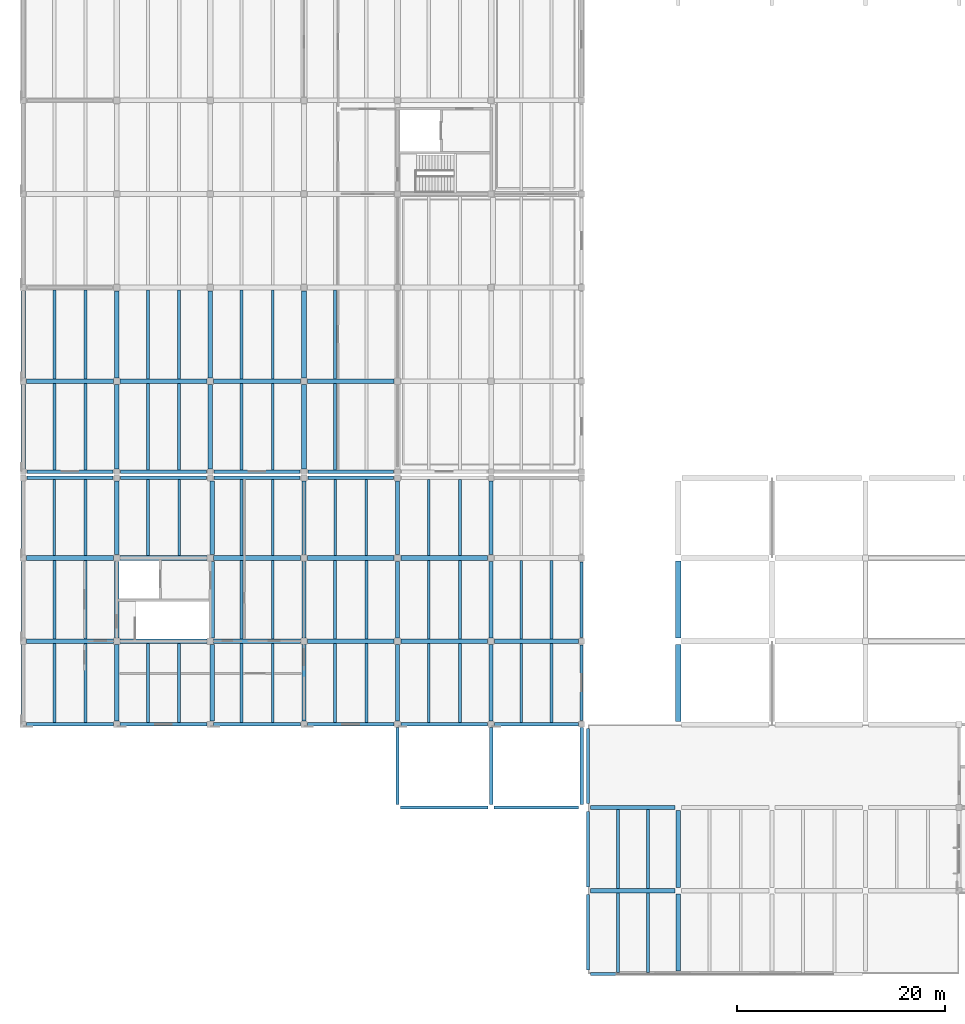
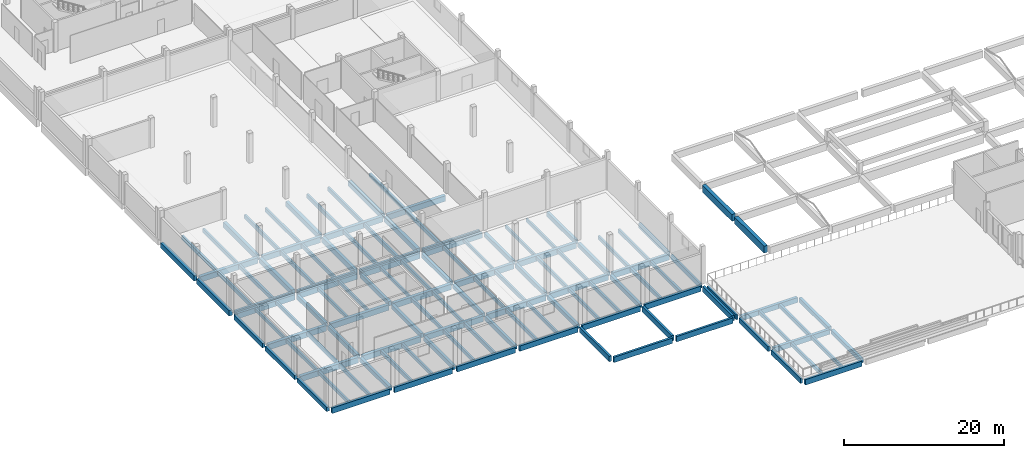
# One storey, part 6 of 63: 122 beams.
"""IFC4 building model written with IfcOpenShell, lengths in metres."""

from ifc_helpers import new_model, si_unit, direction, frame, origin, origin_2d, place, context, subcontext, project, spatial, rectangle, extrude, material, material_profile, profile_set, type_object, element, save


model = new_model("IFC4")

# Units and contexts
model_context = context("Model", 3, precision=1e-05, world=origin(), true_north=direction((0.0, 1.0)))
body_context = subcontext(model_context, "Body", "Model", "MODEL_VIEW")
ifc_project = project(units=[si_unit("LENGTHUNIT", "METRE"), si_unit("AREAUNIT", "SQUARE_METRE"), si_unit("VOLUMEUNIT", "CUBIC_METRE"), si_unit("PLANEANGLEUNIT", "RADIAN"), si_unit("MASSUNIT", "GRAM", prefix="KILO")], contexts=[model_context])

# Site, building, storey
site_placement = place(None, origin())
site = spatial("IfcSite", under=ifc_project, at=site_placement, CompositionType="ELEMENT")
building_placement = place(site_placement, origin())
building = spatial("IfcBuilding", under=site, at=building_placement, Name="Zacnel Wholesale Market", CompositionType="ELEMENT")
storey_placement = place(building_placement, frame((0.0, 0.0, 11.199951171875)))
storey = spatial("IfcBuildingStorey", under=building, at=storey_placement, Name="L03", CompositionType="ELEMENT", Elevation=11.199951171875)

# Beams
ifc_material_1 = material(Name="Precast concrete C45/55", Category="concrete")
ifc_material_profile_1 = material_profile(ifc_material_1, rectangle(XDim=0.280029296875, YDim=0.550048828125, at=origin_2d()), Name="DT RIB 280x550")
ifc_profile_set_1 = profile_set([ifc_material_profile_1], Name="Precast concrete C45/55")
beam_type_1 = type_object("IfcBeamType", Name="BM-DT550", PredefinedType="JOIST", material=ifc_profile_set_1)
for number, where, z_axis, x_axis, name in (
    (1, (75.199951171875, 0.159912109375, -0.695068359375), (0.0, 1.0, 0.0), (-1.0, 0.0, 0.0), "Precast secondary joist L03-0345"),
    (2, (78.10009765625, 0.159912109375, -0.695068359375), (0.0, 1.0, 0.0), (-1.0, 0.0, 0.0), "Precast secondary joist L03-0346"),
):
    element("IfcBeam", number, at=place(storey_placement, frame(where, z_axis=z_axis, x_axis=x_axis)), inside=storey, type_object=beam_type_1, Name=name, PredefinedType="JOIST", context=body_context, shape_type="SweptSolid", body=[
        extrude(rectangle(XDim=0.280029296875, YDim=0.550048828125, at=origin_2d()), origin(), (0.0, 0.0, 1.0), 7.64013671875),
    ])
for number, where, z_axis, x_axis, name in (
    (3, (75.199951171875, 8.199951171875, -0.695068359375), (0.0, 1.0, 0.0), (-1.0, 0.0, 0.0), "Precast secondary joist L03-0363"),
    (4, (78.10009765625, 8.199951171875, -0.695068359375), (0.0, 1.0, 0.0), (-1.0, 0.0, 0.0), "Precast secondary joist L03-0364"),
):
    element("IfcBeam", number, at=place(storey_placement, frame(where, z_axis=z_axis, x_axis=x_axis)), inside=storey, type_object=beam_type_1, Name=name, PredefinedType="JOIST", context=body_context, shape_type="SweptSolid", body=[
        extrude(rectangle(XDim=0.280029296875, YDim=0.550048828125, at=origin_2d()), origin(), (0.0, 0.0, 1.0), 7.60009765625),
    ])
for number, where, z_axis, x_axis, name in (
    (5, (21.0, 24.159912109375, -0.574951171875), (0.0, 1.0, 0.0), (-1.0, 0.0, 0.0), "Precast secondary joist L03-0393"),
    (6, (24.0, 24.159912109375, -0.574951171875), (0.0, 1.0, 0.0), (-1.0, 0.0, 0.0), "Precast secondary joist L03-0394"),
    (7, (30.0, 24.159912109375, -0.574951171875), (0.0, 1.0, 0.0), (-1.0, 0.0, 0.0), "Precast secondary joist L03-0395"),
    (8, (33.0, 24.159912109375, -0.574951171875), (0.0, 1.0, 0.0), (-1.0, 0.0, 0.0), "Precast secondary joist L03-0396"),
    (9, (39.0, 24.159912109375, -0.574951171875), (0.0, 1.0, 0.0), (-1.0, 0.0, 0.0), "Precast secondary joist L03-0397"),
    (10, (42.0, 24.159912109375, -0.574951171875), (0.0, 1.0, 0.0), (-1.0, 0.0, 0.0), "Precast secondary joist L03-0398"),
    (11, (48.0, 24.159912109375, -0.574951171875), (0.0, 1.0, 0.0), (-1.0, 0.0, 0.0), "Precast secondary joist L03-0399"),
    (12, (51.0, 24.159912109375, -0.574951171875), (0.0, 1.0, 0.0), (-1.0, 0.0, 0.0), "Precast secondary joist L03-0400"),
    (13, (57.0, 24.159912109375, -0.574951171875), (0.0, 1.0, 0.0), (-1.0, 0.0, 0.0), "Precast secondary joist L03-0401"),
    (14, (60.0, 24.159912109375, -0.574951171875), (0.0, 1.0, 0.0), (-1.0, 0.0, 0.0), "Precast secondary joist L03-0402"),
    (15, (65.89990234375, 24.159912109375, -0.574951171875), (0.0, 1.0, 0.0), (-1.0, 0.0, 0.0), "Precast secondary joist L03-0403"),
    (16, (68.800048828125, 24.159912109375, -0.574951171875), (0.0, 1.0, 0.0), (-1.0, 0.0, 0.0), "Precast secondary joist L03-0404"),
):
    element("IfcBeam", number, at=place(storey_placement, frame(where, z_axis=z_axis, x_axis=x_axis)), inside=storey, type_object=beam_type_1, Name=name, PredefinedType="JOIST", context=body_context, shape_type="SweptSolid", body=[
        extrude(rectangle(XDim=0.280029296875, YDim=0.550048828125, at=origin_2d()), origin(), (0.0, 0.0, 1.0), 7.614990234375),
    ])
for number, where, z_axis, x_axis, name in (
    (17, (21.0, 32.22509765625, -0.574951171875), (0.0, 1.0, 0.0), (-1.0, 0.0, 0.0), "Precast secondary joist L03-0421"),
    (18, (24.0, 32.22509765625, -0.574951171875), (0.0, 1.0, 0.0), (-1.0, 0.0, 0.0), "Precast secondary joist L03-0422"),
    (19, (39.0, 32.22509765625, -0.574951171875), (0.0, 1.0, 0.0), (-1.0, 0.0, 0.0), "Precast secondary joist L03-0423"),
    (20, (42.0, 32.22509765625, -0.574951171875), (0.0, 1.0, 0.0), (-1.0, 0.0, 0.0), "Precast secondary joist L03-0424"),
    (21, (48.0, 32.22509765625, -0.574951171875), (0.0, 1.0, 0.0), (-1.0, 0.0, 0.0), "Precast secondary joist L03-0425"),
    (22, (51.0, 32.22509765625, -0.574951171875), (0.0, 1.0, 0.0), (-1.0, 0.0, 0.0), "Precast secondary joist L03-0426"),
    (23, (57.0, 32.22509765625, -0.574951171875), (0.0, 1.0, 0.0), (-1.0, 0.0, 0.0), "Precast secondary joist L03-0427"),
    (24, (60.0, 32.22509765625, -0.574951171875), (0.0, 1.0, 0.0), (-1.0, 0.0, 0.0), "Precast secondary joist L03-0428"),
    (25, (65.89990234375, 32.22509765625, -0.574951171875), (0.0, 1.0, 0.0), (-1.0, 0.0, 0.0), "Precast secondary joist L03-0429"),
    (26, (68.800048828125, 32.22509765625, -0.574951171875), (0.0, 1.0, 0.0), (-1.0, 0.0, 0.0), "Precast secondary joist L03-0430"),
):
    element("IfcBeam", number, at=place(storey_placement, frame(where, z_axis=z_axis, x_axis=x_axis)), inside=storey, type_object=beam_type_1, Name=name, PredefinedType="JOIST", context=body_context, shape_type="SweptSolid", body=[
        extrude(rectangle(XDim=0.280029296875, YDim=0.550048828125, at=origin_2d()), origin(), (0.0, 0.0, 1.0), 7.5498046875),
    ])
ifc_material_2 = material(Name="Precast concrete C45/55", Category="concrete")
ifc_material_profile_2 = material_profile(ifc_material_2, rectangle(XDim=0.280029296875, YDim=0.60009765625, at=origin_2d()), Name="DT RIB 280x600")
ifc_profile_set_2 = profile_set([ifc_material_profile_2], Name="Precast concrete C45/55")
beam_type_2 = type_object("IfcBeamType", Name="BM-DT600", PredefinedType="JOIST", material=ifc_profile_set_2)
for number, where, z_axis, x_axis, name in (
    (27, (21.0, 48.4599609375, -0.599853515625), (0.0, 1.0, 0.0), (-1.0, 0.0, 0.0), "Precast secondary joist L03-0475"),
    (28, (24.0, 48.4599609375, -0.599853515625), (0.0, 1.0, 0.0), (-1.0, 0.0, 0.0), "Precast secondary joist L03-0476"),
    (29, (30.0, 48.4599609375, -0.599853515625), (0.0, 1.0, 0.0), (-1.0, 0.0, 0.0), "Precast secondary joist L03-0477"),
    (30, (33.0, 48.4599609375, -0.599853515625), (0.0, 1.0, 0.0), (-1.0, 0.0, 0.0), "Precast secondary joist L03-0478"),
    (31, (39.0, 48.4599609375, -0.599853515625), (0.0, 1.0, 0.0), (-1.0, 0.0, 0.0), "Precast secondary joist L03-0479"),
    (32, (42.0, 48.4599609375, -0.599853515625), (0.0, 1.0, 0.0), (-1.0, 0.0, 0.0), "Precast secondary joist L03-0480"),
    (33, (48.0, 48.4599609375, -0.599853515625), (0.0, 1.0, 0.0), (-1.0, 0.0, 0.0), "Precast secondary joist L03-0481"),
):
    element("IfcBeam", number, at=place(storey_placement, frame(where, z_axis=z_axis, x_axis=x_axis)), inside=storey, type_object=beam_type_2, Name=name, PredefinedType="JOIST", context=body_context, shape_type="SweptSolid", body=[
        extrude(rectangle(XDim=0.280029296875, YDim=0.60009765625, at=origin_2d()), origin(), (0.0, 0.0, 1.0), 8.31494140625),
    ])
for number, where, z_axis, x_axis, name in (
    (34, (21.0, 57.22509765625, -0.599853515625), (0.0, 1.0, 0.0), (-1.0, 0.0, 0.0), "Precast secondary joist L03-0495"),
    (35, (24.0, 57.22509765625, -0.599853515625), (0.0, 1.0, 0.0), (-1.0, 0.0, 0.0), "Precast secondary joist L03-0496"),
    (36, (30.0, 57.22509765625, -0.599853515625), (0.0, 1.0, 0.0), (-1.0, 0.0, 0.0), "Precast secondary joist L03-0497"),
    (37, (33.0, 57.22509765625, -0.599853515625), (0.0, 1.0, 0.0), (-1.0, 0.0, 0.0), "Precast secondary joist L03-0498"),
    (38, (39.0, 57.22509765625, -0.599853515625), (0.0, 1.0, 0.0), (-1.0, 0.0, 0.0), "Precast secondary joist L03-0499"),
    (39, (42.0, 57.22509765625, -0.599853515625), (0.0, 1.0, 0.0), (-1.0, 0.0, 0.0), "Precast secondary joist L03-0500"),
    (40, (48.0, 57.22509765625, -0.599853515625), (0.0, 1.0, 0.0), (-1.0, 0.0, 0.0), "Precast secondary joist L03-0501"),
):
    element("IfcBeam", number, at=place(storey_placement, frame(where, z_axis=z_axis, x_axis=x_axis)), inside=storey, type_object=beam_type_2, Name=name, PredefinedType="JOIST", context=body_context, shape_type="SweptSolid", body=[
        extrude(rectangle(XDim=0.280029296875, YDim=0.60009765625, at=origin_2d()), origin(), (0.0, 0.0, 1.0), 8.5498046875),
    ])
ifc_material_3 = material(Name="Precast concrete C45/55", Category="concrete")
ifc_material_profile_3 = material_profile(ifc_material_3, rectangle(XDim=0.5, YDim=1.050048828125, at=origin_2d()), Name="PG 500x1050")
ifc_profile_set_3 = profile_set([ifc_material_profile_3], Name="Precast concrete C45/55")
beam_type_3 = type_object("IfcBeamType", Name="BM-PG1050", PredefinedType="T_BEAM", material=ifc_profile_set_3)
for number, where, z_axis, x_axis, name in (
    (41, (81.0, 24.300048828125, 1.6650390625), (0.0, 1.0, 0.0), (-1.0, 0.0, 0.0), "Precast girder Y-0889"),
    (42, (81.0, 32.300048828125, 1.6650390625), (0.0, 1.0, 0.0), (-1.0, 0.0, 0.0), "Precast girder Y-0890"),
):
    element("IfcBeam", number, at=place(storey_placement, frame(where, z_axis=z_axis, x_axis=x_axis)), inside=storey, type_object=beam_type_3, Name=name, PredefinedType="T_BEAM", context=body_context, shape_type="SweptSolid", body=[
        extrude(rectangle(XDim=0.5, YDim=1.050048828125, at=origin_2d()), origin(), (0.0, 0.0, 1.0), 7.39990234375),
    ])
ifc_material_4 = material(Name="Precast concrete C45/55", Category="concrete")
ifc_material_profile_4 = material_profile(ifc_material_4, rectangle(XDim=0.39990234375, YDim=0.64990234375, at=origin_2d()), Name="PG 400x650")
ifc_profile_set_4 = profile_set([ifc_material_profile_4], Name="Precast concrete C45/55")
beam_type_4 = type_object("IfcBeamType", Name="BM-PG650", PredefinedType="BEAM", material=ifc_profile_set_4)
for number, where, z_axis, x_axis, name in (
    (43, (18.0, 24.324951171875, -0.625), (0.0, 1.0, 0.0), (-1.0, 0.0, 0.0), "Precast girder Y-0799"),
    (44, (18.0, 32.324951171875, -0.625), (0.0, 1.0, 0.0), (-1.0, 0.0, 0.0), "Precast girder Y-0800"),
):
    element("IfcBeam", number, at=place(storey_placement, frame(where, z_axis=z_axis, x_axis=x_axis)), inside=storey, type_object=beam_type_4, Name=name, PredefinedType="BEAM", context=body_context, shape_type="SweptSolid", body=[
        extrude(rectangle(XDim=0.39990234375, YDim=0.64990234375, at=origin_2d()), origin(), (0.0, 0.0, 1.0), 7.35009765625),
    ])
beam_1_placement = place(storey_placement, frame((18.0, 40.324951171875, -0.625), z_axis=(0.0, 1.0, 0.0), x_axis=(-1.0, 0.0, 0.0)))
element("IfcBeam", 45, at=beam_1_placement, inside=storey, type_object=beam_type_4, Name="Precast girder Y-0801", PredefinedType="BEAM", context=body_context, shape_type="SweptSolid", body=[
    extrude(rectangle(XDim=0.39990234375, YDim=0.64990234375, at=origin_2d()), origin(), (0.0, 0.0, 1.0), 7.10009765625),
])
for number, where, z_axis, x_axis, name in (
    (46, (27.0, 24.324951171875, -0.625), (0.0, 1.0, 0.0), (-1.0, 0.0, 0.0), "Precast girder Y-0811"),
    (47, (27.0, 32.324951171875, -0.625), (0.0, 1.0, 0.0), (-1.0, 0.0, 0.0), "Precast girder Y-0812"),
):
    element("IfcBeam", number, at=place(storey_placement, frame(where, z_axis=z_axis, x_axis=x_axis)), inside=storey, type_object=beam_type_4, Name=name, PredefinedType="BEAM", context=body_context, shape_type="SweptSolid", body=[
        extrude(rectangle(XDim=0.39990234375, YDim=0.64990234375, at=origin_2d()), origin(), (0.0, 0.0, 1.0), 7.35009765625),
    ])
beam_2_placement = place(storey_placement, frame((27.0, 40.324951171875, -0.625), z_axis=(0.0, 1.0, 0.0), x_axis=(-1.0, 0.0, 0.0)))
element("IfcBeam", 48, at=beam_2_placement, inside=storey, type_object=beam_type_4, Name="Precast girder Y-0813", PredefinedType="BEAM", context=body_context, shape_type="SweptSolid", body=[
    extrude(rectangle(XDim=0.39990234375, YDim=0.64990234375, at=origin_2d()), origin(), (0.0, 0.0, 1.0), 7.10009765625),
])
for number, where, z_axis, x_axis, name in (
    (49, (36.179931640625, 24.324951171875, -0.625), (0.0, 1.0, 0.0), (-1.0, 0.0, 0.0), "Precast girder Y-0823"),
    (50, (36.179931640625, 32.324951171875, -0.625), (0.0, 1.0, 0.0), (-1.0, 0.0, 0.0), "Precast girder Y-0824"),
):
    element("IfcBeam", number, at=place(storey_placement, frame(where, z_axis=z_axis, x_axis=x_axis)), inside=storey, type_object=beam_type_4, Name=name, PredefinedType="BEAM", context=body_context, shape_type="SweptSolid", body=[
        extrude(rectangle(XDim=0.39990234375, YDim=0.64990234375, at=origin_2d()), origin(), (0.0, 0.0, 1.0), 7.35009765625),
    ])
beam_3_placement = place(storey_placement, frame((36.179931640625, 40.324951171875, -0.625), z_axis=(0.0, 1.0, 0.0), x_axis=(-1.0, 0.0, 0.0)))
element("IfcBeam", 51, at=beam_3_placement, inside=storey, type_object=beam_type_4, Name="Precast girder Y-0825", PredefinedType="BEAM", context=body_context, shape_type="SweptSolid", body=[
    extrude(rectangle(XDim=0.39990234375, YDim=0.64990234375, at=origin_2d()), origin(), (0.0, 0.0, 1.0), 7.10009765625),
])
for number, where, z_axis, x_axis, name in (
    (52, (45.0, 24.324951171875, -0.625), (0.0, 1.0, 0.0), (-1.0, 0.0, 0.0), "Precast girder Y-0835"),
    (53, (45.0, 32.324951171875, -0.625), (0.0, 1.0, 0.0), (-1.0, 0.0, 0.0), "Precast girder Y-0836"),
):
    element("IfcBeam", number, at=place(storey_placement, frame(where, z_axis=z_axis, x_axis=x_axis)), inside=storey, type_object=beam_type_4, Name=name, PredefinedType="BEAM", context=body_context, shape_type="SweptSolid", body=[
        extrude(rectangle(XDim=0.39990234375, YDim=0.64990234375, at=origin_2d()), origin(), (0.0, 0.0, 1.0), 7.35009765625),
    ])
beam_4_placement = place(storey_placement, frame((45.0, 40.324951171875, -0.625), z_axis=(0.0, 1.0, 0.0), x_axis=(-1.0, 0.0, 0.0)))
element("IfcBeam", 54, at=beam_4_placement, inside=storey, type_object=beam_type_4, Name="Precast girder Y-0837", PredefinedType="BEAM", context=body_context, shape_type="SweptSolid", body=[
    extrude(rectangle(XDim=0.39990234375, YDim=0.64990234375, at=origin_2d()), origin(), (0.0, 0.0, 1.0), 7.10009765625),
])
for number, where, z_axis, x_axis, name in (
    (55, (54.0, 24.324951171875, -0.625), (0.0, 1.0, 0.0), (-1.0, 0.0, 0.0), "Precast girder Y-0847"),
    (56, (54.0, 32.324951171875, -0.625), (0.0, 1.0, 0.0), (-1.0, 0.0, 0.0), "Precast girder Y-0848"),
):
    element("IfcBeam", number, at=place(storey_placement, frame(where, z_axis=z_axis, x_axis=x_axis)), inside=storey, type_object=beam_type_4, Name=name, PredefinedType="BEAM", context=body_context, shape_type="SweptSolid", body=[
        extrude(rectangle(XDim=0.39990234375, YDim=0.64990234375, at=origin_2d()), origin(), (0.0, 0.0, 1.0), 7.35009765625),
    ])
beam_5_placement = place(storey_placement, frame((54.0, 40.324951171875, -0.625), z_axis=(0.0, 1.0, 0.0), x_axis=(-1.0, 0.0, 0.0)))
element("IfcBeam", 57, at=beam_5_placement, inside=storey, type_object=beam_type_4, Name="Precast girder Y-0849", PredefinedType="BEAM", context=body_context, shape_type="SweptSolid", body=[
    extrude(rectangle(XDim=0.39990234375, YDim=0.64990234375, at=origin_2d()), origin(), (0.0, 0.0, 1.0), 7.10009765625),
])
for number, where, z_axis, x_axis, name in (
    (58, (63.0, 24.324951171875, -0.625), (0.0, 1.0, 0.0), (-1.0, 0.0, 0.0), "Precast girder Y-0859"),
    (59, (63.0, 32.324951171875, -0.625), (0.0, 1.0, 0.0), (-1.0, 0.0, 0.0), "Precast girder Y-0860"),
):
    element("IfcBeam", number, at=place(storey_placement, frame(where, z_axis=z_axis, x_axis=x_axis)), inside=storey, type_object=beam_type_4, Name=name, PredefinedType="BEAM", context=body_context, shape_type="SweptSolid", body=[
        extrude(rectangle(XDim=0.39990234375, YDim=0.64990234375, at=origin_2d()), origin(), (0.0, 0.0, 1.0), 7.35009765625),
    ])
beam_6_placement = place(storey_placement, frame((63.0, 40.324951171875, -0.625), z_axis=(0.0, 1.0, 0.0), x_axis=(-1.0, 0.0, 0.0)))
element("IfcBeam", 60, at=beam_6_placement, inside=storey, type_object=beam_type_4, Name="Precast girder Y-0861", PredefinedType="BEAM", context=body_context, shape_type="SweptSolid", body=[
    extrude(rectangle(XDim=0.39990234375, YDim=0.64990234375, at=origin_2d()), origin(), (0.0, 0.0, 1.0), 7.10009765625),
])
for number, where, z_axis, x_axis, name in (
    (61, (81.0, 0.300048828125, -0.744873046875), (0.0, 1.0, 0.0), (-1.0, 0.0, 0.0), "Precast girder Y-0887"),
    (62, (81.0, 8.300048828125, -0.744873046875), (0.0, 1.0, 0.0), (-1.0, 0.0, 0.0), "Precast girder Y-0888"),
):
    element("IfcBeam", number, at=place(storey_placement, frame(where, z_axis=z_axis, x_axis=x_axis)), inside=storey, type_object=beam_type_4, Name=name, PredefinedType="BEAM", context=body_context, shape_type="SweptSolid", body=[
        extrude(rectangle(XDim=0.39990234375, YDim=0.64990234375, at=origin_2d()), origin(), (0.0, 0.0, 1.0), 7.39990234375),
    ])
ifc_material_5 = material(Name="Precast concrete C45/55", Category="concrete")
ifc_material_profile_5 = material_profile(ifc_material_5, rectangle(XDim=0.39990234375, YDim=0.75, at=origin_2d()), Name="PG 400x750")
ifc_profile_set_5 = profile_set([ifc_material_profile_5], Name="Precast concrete C45/55")
beam_type_5 = type_object("IfcBeamType", Name="BM-PG750", PredefinedType="BEAM", material=ifc_profile_set_5)
for number, where, z_axis, x_axis, name in (
    (63, (72.574951171875, 8.0, -0.794921875), (1.0, 0.0, 0.0), (0.0, 1.0, 0.0), "Precast girder X-0568"),
    (64, (72.574951171875, 16.0, -0.794921875), (1.0, 0.0, 0.0), (0.0, 1.0, 0.0), "Precast girder X-0579"),
):
    element("IfcBeam", number, at=place(storey_placement, frame(where, z_axis=z_axis, x_axis=x_axis)), inside=storey, type_object=beam_type_5, Name=name, PredefinedType="BEAM", context=body_context, shape_type="SweptSolid", body=[
        extrude(rectangle(XDim=0.39990234375, YDim=0.75, at=origin_2d()), origin(), (0.0, 0.0, 1.0), 8.125),
    ])
ifc_material_6 = material(Name="Precast concrete C45/55", Category="concrete")
ifc_material_profile_6 = material_profile(ifc_material_6, rectangle(XDim=0.449951171875, YDim=0.800048828125, at=origin_2d()), Name="PG 450x800")
ifc_profile_set_6 = profile_set([ifc_material_profile_6], Name="Precast concrete C45/55")
beam_type_6 = type_object("IfcBeamType", Name="BM-PG800", PredefinedType="BEAM", material=ifc_profile_set_6)
beam_7_placement = place(storey_placement, frame((18.0, 48.574951171875, -0.699951171875), z_axis=(0.0, 1.0, 0.0), x_axis=(-1.0, 0.0, 0.0)))
element("IfcBeam", 65, at=beam_7_placement, inside=storey, type_object=beam_type_6, Name="Precast girder Y-0802", PredefinedType="BEAM", context=body_context, shape_type="SweptSolid", body=[
    extrude(rectangle(XDim=0.449951171875, YDim=0.800048828125, at=origin_2d()), origin(), (0.0, 0.0, 1.0), 8.10009765625),
])
beam_8_placement = place(storey_placement, frame((18.0, 57.324951171875, -0.699951171875), z_axis=(0.0, 1.0, 0.0), x_axis=(-1.0, 0.0, 0.0)))
element("IfcBeam", 66, at=beam_8_placement, inside=storey, type_object=beam_type_6, Name="Precast girder Y-0803", PredefinedType="BEAM", context=body_context, shape_type="SweptSolid", body=[
    extrude(rectangle(XDim=0.449951171875, YDim=0.800048828125, at=origin_2d()), origin(), (0.0, 0.0, 1.0), 8.35009765625),
])
beam_9_placement = place(storey_placement, frame((27.0, 48.574951171875, -0.699951171875), z_axis=(0.0, 1.0, 0.0), x_axis=(-1.0, 0.0, 0.0)))
element("IfcBeam", 67, at=beam_9_placement, inside=storey, type_object=beam_type_6, Name="Precast girder Y-0814", PredefinedType="BEAM", context=body_context, shape_type="SweptSolid", body=[
    extrude(rectangle(XDim=0.449951171875, YDim=0.800048828125, at=origin_2d()), origin(), (0.0, 0.0, 1.0), 8.10009765625),
])
beam_10_placement = place(storey_placement, frame((27.0, 57.324951171875, -0.699951171875), z_axis=(0.0, 1.0, 0.0), x_axis=(-1.0, 0.0, 0.0)))
element("IfcBeam", 68, at=beam_10_placement, inside=storey, type_object=beam_type_6, Name="Precast girder Y-0815", PredefinedType="BEAM", context=body_context, shape_type="SweptSolid", body=[
    extrude(rectangle(XDim=0.449951171875, YDim=0.800048828125, at=origin_2d()), origin(), (0.0, 0.0, 1.0), 8.35009765625),
])
beam_11_placement = place(storey_placement, frame((36.0, 48.574951171875, -0.699951171875), z_axis=(0.0, 1.0, 0.0), x_axis=(-1.0, 0.0, 0.0)))
element("IfcBeam", 69, at=beam_11_placement, inside=storey, type_object=beam_type_6, Name="Precast girder Y-0826", PredefinedType="BEAM", context=body_context, shape_type="SweptSolid", body=[
    extrude(rectangle(XDim=0.449951171875, YDim=0.800048828125, at=origin_2d()), origin(), (0.0, 0.0, 1.0), 8.10009765625),
])
beam_12_placement = place(storey_placement, frame((36.0, 57.324951171875, -0.699951171875), z_axis=(0.0, 1.0, 0.0), x_axis=(-1.0, 0.0, 0.0)))
element("IfcBeam", 70, at=beam_12_placement, inside=storey, type_object=beam_type_6, Name="Precast girder Y-0827", PredefinedType="BEAM", context=body_context, shape_type="SweptSolid", body=[
    extrude(rectangle(XDim=0.449951171875, YDim=0.800048828125, at=origin_2d()), origin(), (0.0, 0.0, 1.0), 8.35009765625),
])
beam_13_placement = place(storey_placement, frame((45.0, 48.574951171875, -0.699951171875), z_axis=(0.0, 1.0, 0.0), x_axis=(-1.0, 0.0, 0.0)))
element("IfcBeam", 71, at=beam_13_placement, inside=storey, type_object=beam_type_6, Name="Precast girder Y-0838", PredefinedType="BEAM", context=body_context, shape_type="SweptSolid", body=[
    extrude(rectangle(XDim=0.449951171875, YDim=0.800048828125, at=origin_2d()), origin(), (0.0, 0.0, 1.0), 8.10009765625),
])
beam_14_placement = place(storey_placement, frame((45.0, 57.324951171875, -0.699951171875), z_axis=(0.0, 1.0, 0.0), x_axis=(-1.0, 0.0, 0.0)))
element("IfcBeam", 72, at=beam_14_placement, inside=storey, type_object=beam_type_6, Name="Precast girder Y-0839", PredefinedType="BEAM", context=body_context, shape_type="SweptSolid", body=[
    extrude(rectangle(XDim=0.449951171875, YDim=0.800048828125, at=origin_2d()), origin(), (0.0, 0.0, 1.0), 8.35009765625),
])
ifc_material_7 = material(Name="Precast concrete C45/55", Category="concrete")
ifc_material_profile_7 = material_profile(ifc_material_7, rectangle(XDim=0.449951171875, YDim=0.85009765625, at=origin_2d()), Name="PG 450x850")
ifc_profile_set_7 = profile_set([ifc_material_profile_7], Name="Precast concrete C45/55")
beam_type_7 = type_object("IfcBeamType", Name="BM-PG850", PredefinedType="BEAM", material=ifc_profile_set_7)
for number, where, z_axis, x_axis, name in (
    (73, (18.324951171875, 32.0, -0.724853515625), (1.0, 0.0, 0.0), (0.0, 1.0, 0.0), "Precast girder X-0612"),
    (74, (27.324951171875, 32.0, -0.724853515625), (1.0, 0.0, 0.0), (0.0, 1.0, 0.0), "Precast girder X-0613"),
    (75, (36.324951171875, 32.0, -0.724853515625), (1.0, 0.0, 0.0), (0.0, 1.0, 0.0), "Precast girder X-0614"),
    (76, (45.324951171875, 32.0, -0.724853515625), (1.0, 0.0, 0.0), (0.0, 1.0, 0.0), "Precast girder X-0615"),
    (77, (54.324951171875, 32.0, -0.724853515625), (1.0, 0.0, 0.0), (0.0, 1.0, 0.0), "Precast girder X-0616"),
):
    element("IfcBeam", number, at=place(storey_placement, frame(where, z_axis=z_axis, x_axis=x_axis)), inside=storey, type_object=beam_type_7, Name=name, PredefinedType="BEAM", context=body_context, shape_type="SweptSolid", body=[
        extrude(rectangle(XDim=0.449951171875, YDim=0.85009765625, at=origin_2d()), origin(), (0.0, 0.0, 1.0), 8.35009765625),
    ])
beam_15_placement = place(storey_placement, frame((63.324951171875, 32.0, -0.724853515625), z_axis=(1.0, 0.0, 0.0), x_axis=(0.0, 1.0, 0.0)))
element("IfcBeam", 78, at=beam_15_placement, inside=storey, type_object=beam_type_7, Name="Precast girder X-0617", PredefinedType="BEAM", context=body_context, shape_type="SweptSolid", body=[
    extrude(rectangle(XDim=0.449951171875, YDim=0.85009765625, at=origin_2d()), origin(), (0.0, 0.0, 1.0), 8.10009765625),
])
for number, where, z_axis, x_axis, name in (
    (79, (18.324951171875, 40.0, -0.724853515625), (1.0, 0.0, 0.0), (0.0, 1.0, 0.0), "Precast girder X-0631"),
    (80, (27.324951171875, 40.0, -0.724853515625), (1.0, 0.0, 0.0), (0.0, 1.0, 0.0), "Precast girder X-0632"),
    (81, (36.324951171875, 40.0, -0.724853515625), (1.0, 0.0, 0.0), (0.0, 1.0, 0.0), "Precast girder X-0633"),
    (82, (45.324951171875, 40.0, -0.724853515625), (1.0, 0.0, 0.0), (0.0, 1.0, 0.0), "Precast girder X-0634"),
    (83, (54.324951171875, 40.0, -0.724853515625), (1.0, 0.0, 0.0), (0.0, 1.0, 0.0), "Precast girder X-0635"),
    (84, (18.324951171875, 57.0, -0.724853515625), (1.0, 0.0, 0.0), (0.0, 1.0, 0.0), "Precast girder X-0680"),
    (85, (27.324951171875, 57.0, -0.724853515625), (1.0, 0.0, 0.0), (0.0, 1.0, 0.0), "Precast girder X-0681"),
    (86, (36.324951171875, 57.0, -0.724853515625), (1.0, 0.0, 0.0), (0.0, 1.0, 0.0), "Precast girder X-0682"),
    (87, (45.324951171875, 57.0, -0.724853515625), (1.0, 0.0, 0.0), (0.0, 1.0, 0.0), "Precast girder X-0683"),
):
    element("IfcBeam", number, at=place(storey_placement, frame(where, z_axis=z_axis, x_axis=x_axis)), inside=storey, type_object=beam_type_7, Name=name, PredefinedType="BEAM", context=body_context, shape_type="SweptSolid", body=[
        extrude(rectangle(XDim=0.449951171875, YDim=0.85009765625, at=origin_2d()), origin(), (0.0, 0.0, 1.0), 8.35009765625),
    ])
ifc_material_8 = material(Name="Precast concrete C45/55", Category="concrete")
ifc_material_profile_8 = material_profile(ifc_material_8, rectangle(XDim=0.260009765625, YDim=0.5, at=origin_2d()), Name="PJ 260x500")
ifc_profile_set_8 = profile_set([ifc_material_profile_8], Name="Precast concrete C45/55")
beam_type_8 = type_object("IfcBeamType", Name="BM-PJ500", PredefinedType="HOLLOWCORE", material=ifc_profile_set_8)
for number, where, z_axis, x_axis, name in (
    (88, (21.0, 40.22509765625, -0.550048828125), (0.0, 1.0, 0.0), (-1.0, 0.0, 0.0), "Precast secondary joist L03-0447"),
    (89, (24.0, 40.22509765625, -0.550048828125), (0.0, 1.0, 0.0), (-1.0, 0.0, 0.0), "Precast secondary joist L03-0448"),
    (90, (30.0, 40.22509765625, -0.550048828125), (0.0, 1.0, 0.0), (-1.0, 0.0, 0.0), "Precast secondary joist L03-0449"),
    (91, (33.0, 40.22509765625, -0.550048828125), (0.0, 1.0, 0.0), (-1.0, 0.0, 0.0), "Precast secondary joist L03-0450"),
    (92, (39.0, 40.22509765625, -0.550048828125), (0.0, 1.0, 0.0), (-1.0, 0.0, 0.0), "Precast secondary joist L03-0451"),
    (93, (42.0, 40.22509765625, -0.550048828125), (0.0, 1.0, 0.0), (-1.0, 0.0, 0.0), "Precast secondary joist L03-0452"),
    (94, (48.0, 40.22509765625, -0.550048828125), (0.0, 1.0, 0.0), (-1.0, 0.0, 0.0), "Precast secondary joist L03-0453"),
    (95, (51.0, 40.22509765625, -0.550048828125), (0.0, 1.0, 0.0), (-1.0, 0.0, 0.0), "Precast secondary joist L03-0454"),
    (96, (57.0, 40.22509765625, -0.550048828125), (0.0, 1.0, 0.0), (-1.0, 0.0, 0.0), "Precast secondary joist L03-0455"),
    (97, (60.0, 40.22509765625, -0.550048828125), (0.0, 1.0, 0.0), (-1.0, 0.0, 0.0), "Precast secondary joist L03-0456"),
):
    element("IfcBeam", number, at=place(storey_placement, frame(where, z_axis=z_axis, x_axis=x_axis)), inside=storey, type_object=beam_type_8, Name=name, PredefinedType="HOLLOWCORE", context=body_context, shape_type="SweptSolid", body=[
        extrude(rectangle(XDim=0.260009765625, YDim=0.5, at=origin_2d()), origin(), (0.0, 0.0, 1.0), 7.31494140625),
    ])
ifc_material_9 = material(Name="Precast concrete C45/55", Category="concrete")
ifc_material_profile_9 = material_profile(ifc_material_9, rectangle(XDim=0.300048828125, YDim=0.75, at=origin_2d()), Name="SP 300x750")
ifc_profile_set_9 = profile_set([ifc_material_profile_9], Name="Precast concrete C45/55")
beam_type_9 = type_object("IfcBeamType", Name="BM-SP750", PredefinedType="SPANDREL", material=ifc_profile_set_9)
for number, where, z_axis, x_axis, name in (
    (98, (71.699951171875, 24.375, -0.675048828125), (0.0, 1.0, 0.0), (-1.0, 0.0, 0.0), "Precast girder Y-0871"),
    (99, (71.699951171875, 32.375, -0.675048828125), (0.0, 1.0, 0.0), (-1.0, 0.0, 0.0), "Precast girder Y-0872"),
    (100, (72.300048828125, 0.375, -0.794921875), (0.0, 1.0, 0.0), (-1.0, 0.0, 0.0), "Precast girder Y-0883"),
    (101, (72.300048828125, 8.375, -0.794921875), (0.0, 1.0, 0.0), (-1.0, 0.0, 0.0), "Precast girder Y-0884"),
    (102, (72.300048828125, 16.375, -0.794921875), (0.0, 1.0, 0.0), (-1.0, 0.0, 0.0), "Precast girder Y-0885"),
):
    element("IfcBeam", number, at=place(storey_placement, frame(where, z_axis=z_axis, x_axis=x_axis)), inside=storey, type_object=beam_type_9, Name=name, PredefinedType="SPANDREL", context=body_context, shape_type="SweptSolid", body=[
        extrude(rectangle(XDim=0.300048828125, YDim=0.75, at=origin_2d()), origin(), (0.0, 0.0, 1.0), 7.25),
    ])
ifc_material_10 = material(Name="Precast concrete C45/55", Category="concrete")
ifc_material_profile_10 = material_profile(ifc_material_10, rectangle(XDim=0.320068359375, YDim=0.820068359375, at=origin_2d()), Name="SP 320x820")
ifc_profile_set_10 = profile_set([ifc_material_profile_10], Name="Precast concrete C45/55")
beam_type_10 = type_object("IfcBeamType", Name="BM-SP820", PredefinedType="SPANDREL", material=ifc_profile_set_10)
beam_16_placement = place(storey_placement, frame((72.574951171875, 0.0, -0.829833984375), z_axis=(1.0, 0.0, 0.0), x_axis=(0.0, 1.0, 0.0)))
element("IfcBeam", 103, at=beam_16_placement, inside=storey, type_object=beam_type_10, Name="Precast girder X-0557", PredefinedType="SPANDREL", context=body_context, shape_type="SweptSolid", body=[
    extrude(rectangle(XDim=0.320068359375, YDim=0.820068359375, at=origin_2d()), origin(), (0.0, 0.0, 1.0), 8.125),
])
for number, where, z_axis, x_axis, name in (
    (104, (18.324951171875, 24.0, -0.7099609375), (1.0, 0.0, 0.0), (0.0, 1.0, 0.0), "Precast girder X-0595"),
    (105, (27.324951171875, 24.0, -0.7099609375), (1.0, 0.0, 0.0), (0.0, 1.0, 0.0), "Precast girder X-0596"),
    (106, (36.324951171875, 24.0, -0.7099609375), (1.0, 0.0, 0.0), (0.0, 1.0, 0.0), "Precast girder X-0597"),
    (107, (45.324951171875, 24.0, -0.7099609375), (1.0, 0.0, 0.0), (0.0, 1.0, 0.0), "Precast girder X-0598"),
    (108, (54.324951171875, 24.0, -0.7099609375), (1.0, 0.0, 0.0), (0.0, 1.0, 0.0), "Precast girder X-0599"),
):
    element("IfcBeam", number, at=place(storey_placement, frame(where, z_axis=z_axis, x_axis=x_axis)), inside=storey, type_object=beam_type_10, Name=name, PredefinedType="SPANDREL", context=body_context, shape_type="SweptSolid", body=[
        extrude(rectangle(XDim=0.320068359375, YDim=0.820068359375, at=origin_2d()), origin(), (0.0, 0.0, 1.0), 8.35009765625),
    ])
beam_17_placement = place(storey_placement, frame((63.324951171875, 24.0, -0.7099609375), z_axis=(1.0, 0.0, 0.0), x_axis=(0.0, 1.0, 0.0)))
element("IfcBeam", 109, at=beam_17_placement, inside=storey, type_object=beam_type_10, Name="Precast girder X-0600", PredefinedType="SPANDREL", context=body_context, shape_type="SweptSolid", body=[
    extrude(rectangle(XDim=0.320068359375, YDim=0.820068359375, at=origin_2d()), origin(), (0.0, 0.0, 1.0), 8.10009765625),
])
for number, where, z_axis, x_axis, name in (
    (110, (18.375, 47.699951171875, -0.7099609375), (1.0, 0.0, 0.0), (0.0, 1.0, 0.0), "Precast girder X-0650"),
    (111, (27.375, 47.699951171875, -0.7099609375), (1.0, 0.0, 0.0), (0.0, 1.0, 0.0), "Precast girder X-0651"),
    (112, (36.375, 47.699951171875, -0.7099609375), (1.0, 0.0, 0.0), (0.0, 1.0, 0.0), "Precast girder X-0652"),
    (113, (45.375, 47.699951171875, -0.7099609375), (1.0, 0.0, 0.0), (0.0, 1.0, 0.0), "Precast girder X-0653"),
    (114, (18.375, 48.300048828125, -0.7099609375), (1.0, 0.0, 0.0), (0.0, 1.0, 0.0), "Precast girder X-0670"),
    (115, (27.375, 48.300048828125, -0.7099609375), (1.0, 0.0, 0.0), (0.0, 1.0, 0.0), "Precast girder X-0671"),
    (116, (36.375, 48.300048828125, -0.7099609375), (1.0, 0.0, 0.0), (0.0, 1.0, 0.0), "Precast girder X-0672"),
    (117, (45.375, 48.300048828125, -0.7099609375), (1.0, 0.0, 0.0), (0.0, 1.0, 0.0), "Precast girder X-0673"),
):
    element("IfcBeam", number, at=place(storey_placement, frame(where, z_axis=z_axis, x_axis=x_axis)), inside=storey, type_object=beam_type_10, Name=name, PredefinedType="SPANDREL", context=body_context, shape_type="SweptSolid", body=[
        extrude(rectangle(XDim=0.320068359375, YDim=0.820068359375, at=origin_2d()), origin(), (0.0, 0.0, 1.0), 8.25),
    ])
beam_18_placement = place(storey_placement, frame((54.300048828125, 16.0, -0.7099609375), z_axis=(1.0, 0.0, 0.0), x_axis=(0.0, 1.0, 0.0)))
element("IfcBeam", 118, at=beam_18_placement, inside=storey, type_object=beam_type_10, Name="Precast wing girder X V4WL2-001", PredefinedType="SPANDREL", context=body_context, shape_type="SweptSolid", body=[
    extrude(rectangle(XDim=0.320068359375, YDim=0.820068359375, at=origin_2d()), origin(), (0.0, 0.0, 1.0), 8.39990234375),
])
beam_19_placement = place(storey_placement, frame((63.300048828125, 16.0, -0.7099609375), z_axis=(1.0, 0.0, 0.0), x_axis=(0.0, 1.0, 0.0)))
element("IfcBeam", 119, at=beam_19_placement, inside=storey, type_object=beam_type_10, Name="Precast wing girder X V4WL2-002", PredefinedType="SPANDREL", context=body_context, shape_type="SweptSolid", body=[
    extrude(rectangle(XDim=0.320068359375, YDim=0.820068359375, at=origin_2d()), origin(), (0.0, 0.0, 1.0), 8.099853515625),
])
for number, where, z_axis, x_axis, name in (
    (120, (54.0, 16.300048828125, -0.7099609375), (0.0, 1.0, 0.0), (-1.0, 0.0, 0.0), "Precast wing girder Y V4WL2-003"),
    (121, (63.0, 16.300048828125, -0.7099609375), (0.0, 1.0, 0.0), (-1.0, 0.0, 0.0), "Precast wing girder Y V4WL2-004"),
    (122, (71.699951171875, 16.300048828125, -0.7099609375), (0.0, 1.0, 0.0), (-1.0, 0.0, 0.0), "Precast wing girder Y V4WL2-005"),
):
    element("IfcBeam", number, at=place(storey_placement, frame(where, z_axis=z_axis, x_axis=x_axis)), inside=storey, type_object=beam_type_10, Name=name, PredefinedType="SPANDREL", context=body_context, shape_type="SweptSolid", body=[
        extrude(rectangle(XDim=0.320068359375, YDim=0.820068359375, at=origin_2d()), origin(), (0.0, 0.0, 1.0), 7.39990234375),
    ])

save(model, "model.ifc")
